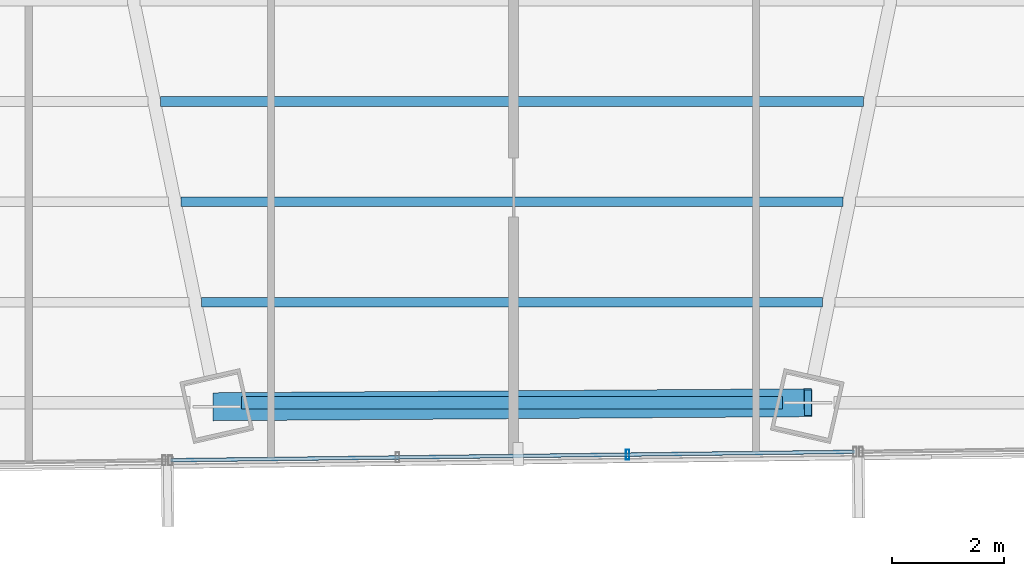
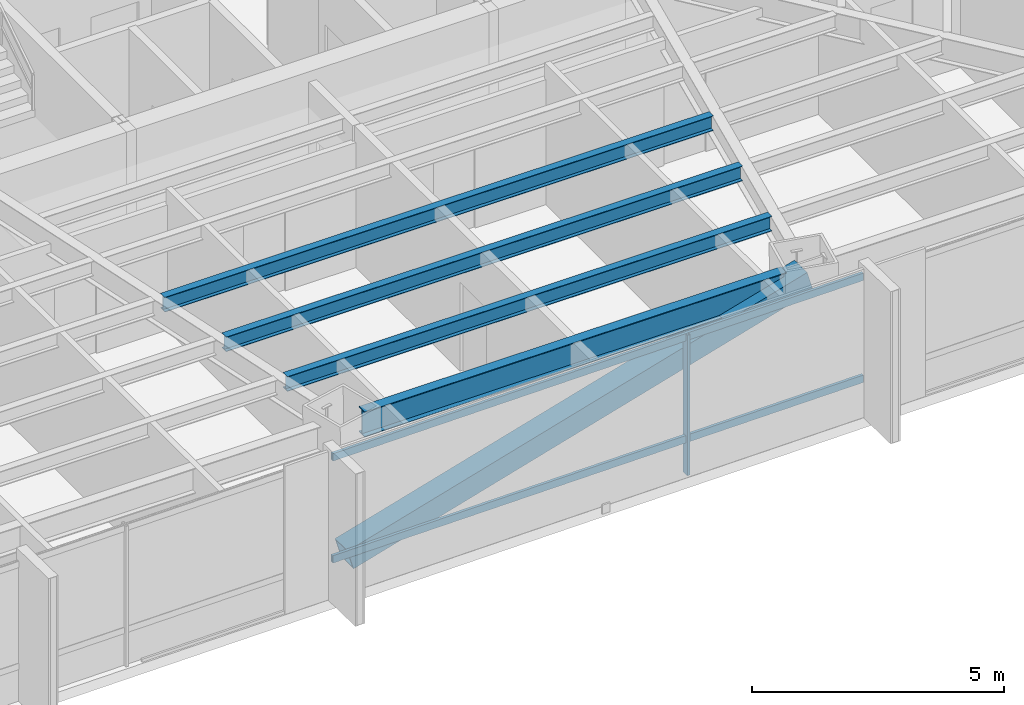
# One storey, part 10 of 37: 4 beams, 4 members, 1 element without a shape of its own.
"""IFC4 building model written with IfcOpenShell, lengths in metres."""

import ifcopenshell
import ifcopenshell.guid

model = None  # the IFC model being written
_history = None  # IfcOwnerHistory: only IFC2X3 demands one
_inside = {}  # id of a spatial element -> (the spatial element, [elements in it])
_under = {}  # id of a project, library or spatial element -> (it, [spatial elements below it])
_declared = {}  # id of a project -> (the project, [libraries it declares])
_typed = {}  # id of a type object -> (the type object, [elements of that type])
_made_of = {}  # id of a material, layer set ... -> (it, [elements and type objects made of it])


def new_model(schema):
    """Start an empty IFC model of exactly this schema.

    Asked for "IFC4X3", IfcOpenShell would pick the latest addendum, in which some entities
    have other attributes; the version numbers below select the first issue.
    IFC2X3 requires an IfcOwnerHistory on every rooted entity: one is made here for all.
    """
    global model, _history
    if schema == "IFC4X3":
        model = ifcopenshell.file(schema_version=(4, 3, 0, 0))
    else:
        model = ifcopenshell.file(schema=schema)
    _inside.clear()
    _under.clear()
    _declared.clear()
    _typed.clear()
    _made_of.clear()
    _history = None
    if model.schema == "IFC2X3":
        org = make("IfcOrganization", Name="unknown")
        user = make(
            "IfcPersonAndOrganization",
            ThePerson=make("IfcPerson", FamilyName="unknown"),
            TheOrganization=org,
        )
        app = make(
            "IfcApplication",
            ApplicationDeveloper=org,
            Version="unknown",
            ApplicationFullName="unknown",
            ApplicationIdentifier="unknown",
        )
        _history = make(
            "IfcOwnerHistory",
            OwningUser=user,
            OwningApplication=app,
            ChangeAction="ADDED",
            CreationDate=0,
        )
    return model


def make(cls, **values):
    """One entity of the class cls with the attributes given. An attribute that is None is left unset."""
    return model.create_entity(
        cls, **{name: value for name, value in values.items() if value is not None}
    )


def rooted(cls, **values):
    """An entity with a GlobalId (a new one), such as an element, a storey or a relation."""
    return make(cls, GlobalId=ifcopenshell.guid.new(), OwnerHistory=_history, **values)


def si_unit(unit_type, name, prefix=None):
    """IfcSIUnit, for example si_unit("LENGTHUNIT", "METRE", prefix="MILLI")."""
    return make("IfcSIUnit", UnitType=unit_type, Prefix=prefix, Name=name)


def assignment(units):
    """IfcUnitAssignment: the units of a project."""
    return None if units is None else make("IfcUnitAssignment", Units=units)


def point(xyz):
    """IfcCartesianPoint."""
    return None if xyz is None else make("IfcCartesianPoint", Coordinates=xyz)


def direction(xyz):
    """IfcDirection."""
    return None if xyz is None else make("IfcDirection", DirectionRatios=xyz)


def frame(location, z_axis=None, x_axis=None):
    """IfcAxis2Placement3D, a coordinate frame: its origin and axes. An axis left out is left unset."""
    return make(
        "IfcAxis2Placement3D",
        Location=point(location),
        Axis=direction(z_axis),
        RefDirection=direction(x_axis),
    )


def frame_2d(location, x_axis=None):
    """IfcAxis2Placement2D, a coordinate frame in the plane: its origin and x axis."""
    return make(
        "IfcAxis2Placement2D", Location=point(location), RefDirection=direction(x_axis)
    )


def origin():
    """The frame at (0, 0, 0) with its axes left unset."""
    return frame((0.0, 0.0, 0.0))


def origin_2d():
    """The frame at (0, 0) in the plane with its x axis left unset."""
    return frame_2d((0.0, 0.0))


def place(relative_to, where):
    """IfcLocalPlacement: puts the frame where relative to a parent placement (None: the world)."""
    return make(
        "IfcLocalPlacement", PlacementRelTo=relative_to, RelativePlacement=where
    )


def context(
    kind, dimensions, precision=None, world=None, true_north=None, identifier=None
):
    """IfcGeometricRepresentationContext, for example the 3D "Model" context."""
    return make(
        "IfcGeometricRepresentationContext",
        ContextIdentifier=identifier,
        ContextType=kind,
        CoordinateSpaceDimension=dimensions,
        Precision=precision,
        WorldCoordinateSystem=world,
        TrueNorth=true_north,
    )


def subcontext(parent, identifier, kind, view, scale=None):
    """IfcGeometricRepresentationSubContext, for example "Body" below "Model"."""
    return make(
        "IfcGeometricRepresentationSubContext",
        ContextIdentifier=identifier,
        ContextType=kind,
        ParentContext=parent,
        TargetScale=scale,
        TargetView=view,
    )


def project(units=None, contexts=None):
    """IfcProject with its units and contexts."""
    return rooted(
        "IfcProject",
        Name="project",
        RepresentationContexts=contexts,
        UnitsInContext=assignment(units),
    )


def spatial(cls, under=None, at=None, **own):
    """A site, building, storey or space (cls), placed at a placement, below another one or the project."""
    s = rooted(cls, ObjectPlacement=at, **own)
    if under is not None:
        _under.setdefault(under.id(), (under, []))[1].append(s)
    return s


def profile(cls, at=None, kind="AREA", **sizes):
    """A parametric profile (cls). Its sizes go by their IFC names, for example OverallWidth=200.0."""
    return make(cls, ProfileType=kind, Position=at, **sizes)


def hollow_rectangle(**sizes):
    """IfcRectangleHollowProfileDef."""
    return profile("IfcRectangleHollowProfileDef", **sizes)


def i_section(**sizes):
    """IfcIShapeProfileDef."""
    return profile("IfcIShapeProfileDef", **sizes)


def extrude(swept, where, along, depth):
    """IfcExtrudedAreaSolid: the profile swept, set in the frame where, extruded along a direction by depth."""
    return make(
        "IfcExtrudedAreaSolid",
        SweptArea=swept,
        Position=where,
        ExtrudedDirection=direction(along),
        Depth=depth,
    )


def shape(context_of_items, identifier, shape_type, items):
    """IfcShapeRepresentation: the items that make up one representation, for example the "Body"."""
    return make(
        "IfcShapeRepresentation",
        ContextOfItems=context_of_items,
        RepresentationIdentifier=identifier,
        RepresentationType=shape_type,
        Items=items,
    )


def source(mapping_origin, context_of_items, identifier, shape_type, items):
    """IfcRepresentationMap: a shape defined once, which mapped items show again and again."""
    return make(
        "IfcRepresentationMap",
        MappingOrigin=mapping_origin,
        MappedRepresentation=shape(context_of_items, identifier, shape_type, items),
    )


def transform(
    local_origin,
    x_axis=None,
    y_axis=None,
    z_axis=None,
    scale=None,
    scale2=None,
    scale3=None,
    uniform=True,
):
    """IfcCartesianTransformationOperator3D, or its non-uniform kind. x_axis, y_axis, z_axis: its Axis1, 2, 3."""
    if uniform:
        return make(
            "IfcCartesianTransformationOperator3D",
            Axis1=direction(x_axis),
            Axis2=direction(y_axis),
            LocalOrigin=point(local_origin),
            Scale=scale,
            Axis3=direction(z_axis),
        )
    return make(
        "IfcCartesianTransformationOperator3DnonUniform",
        Axis1=direction(x_axis),
        Axis2=direction(y_axis),
        LocalOrigin=point(local_origin),
        Scale=scale,
        Axis3=direction(z_axis),
        Scale2=scale2,
        Scale3=scale3,
    )


def mapped(mapping_source, mapping_target):
    """IfcMappedItem: shows the shape of a source again, moved by a transform."""
    return make(
        "IfcMappedItem", MappingSource=mapping_source, MappingTarget=mapping_target
    )


def material(Name=None, Category=None):
    """IfcMaterial."""
    return make("IfcMaterial", Name=Name, Category=Category)


def material_profile(
    of_material, cross_section, Name=None, Category=None, Priority=None
):
    """IfcMaterialProfile: a cross section and its material."""
    return make(
        "IfcMaterialProfile",
        Name=Name,
        Material=of_material,
        Profile=cross_section,
        Priority=Priority,
        Category=Category,
    )


def profile_set(profiles, Name=None, composite=None):
    """IfcMaterialProfileSet."""
    return make(
        "IfcMaterialProfileSet",
        Name=Name,
        MaterialProfiles=profiles,
        CompositeProfile=composite,
    )


def made_of(thing, what):
    """Note that an element or type object is made of a material, layer set ...; save() writes the relation."""
    if what is not None:
        _made_of.setdefault(what.id(), (what, []))[1].append(thing)
    return thing


def type_object(cls, material=None, **own):
    """A type object (cls), such as IfcWallType, which elements share."""
    return made_of(rooted(cls, **own), material)


def type_shapes(of_type, sources):
    """Give a type object the sources (RepresentationMaps) that its elements show as mapped items."""
    of_type.RepresentationMaps = sources


def element(
    cls,
    number,
    at=None,
    inside=None,
    cuts=None,
    type_object=None,
    material=None,
    context=None,
    identifier="Body",
    shape_type=None,
    held_by="IfcProductDefinitionShape",
    body=None,
    shapes=None,
    **own,
):
    """One element of the class cls, such as IfcWall. Its Tag is "e" and its number.

    at: its placement. inside: the storey or other place that contains it. cuts: it is an
    opening in that element (IfcRelVoidsElement). A single representation is given by context,
    identifier, shape_type and body (its items); several are given by shapes. held_by: the class
    of the entity that holds the representations. save() writes the other relations.
    """
    e = rooted(cls, Tag="e%d" % number, ObjectPlacement=at, **own)
    if body is not None:
        shapes = [shape(context, identifier, shape_type, body)]
    if shapes is not None:
        e.Representation = make(held_by, Representations=shapes)
    if inside is not None:
        _inside.setdefault(inside.id(), (inside, []))[1].append(e)
    if cuts is not None:
        rooted(
            "IfcRelVoidsElement", RelatingBuildingElement=cuts, RelatedOpeningElement=e
        )
    if type_object is not None:
        _typed.setdefault(type_object.id(), (type_object, []))[1].append(e)
    return made_of(e, material)


def aggregate(whole, parts):
    """IfcRelAggregates: a whole, such as a stair, and the parts it consists of."""
    return rooted("IfcRelAggregates", RelatingObject=whole, RelatedObjects=parts)


def save(model, path):
    """Write the relations noted so far, then the file.

    IfcRelAggregates (storeys below a building ...), IfcRelContainedInSpatialStructure (elements
    in a storey), IfcRelDefinesByType, IfcRelAssociatesMaterial and IfcRelDeclares: one each for
    every whole, place, type object, material and project.
    """
    for whole, parts in _under.values():
        aggregate(whole, parts)
    for where, things in _inside.values():
        rooted(
            "IfcRelContainedInSpatialStructure",
            RelatedElements=things,
            RelatingStructure=where,
        )
    for kind, things in _typed.values():
        rooted("IfcRelDefinesByType", RelatedObjects=things, RelatingType=kind)
    for what, things in _made_of.values():
        rooted("IfcRelAssociatesMaterial", RelatedObjects=things, RelatingMaterial=what)
    for by, libraries in _declared.values():
        rooted("IfcRelDeclares", RelatingContext=by, RelatedDefinitions=libraries)
    model.write(path)


model = new_model("IFC4")

# Units and contexts
model_context = context("Model", 3, precision=1e-05, world=origin(), true_north=direction((0.0, 1.0)))
body_context = subcontext(model_context, "Body", "Model", "MODEL_VIEW")
ifc_project = project(units=[si_unit("LENGTHUNIT", "METRE"), si_unit("AREAUNIT", "SQUARE_METRE"), si_unit("VOLUMEUNIT", "CUBIC_METRE"), si_unit("PLANEANGLEUNIT", "RADIAN"), si_unit("MASSUNIT", "GRAM", prefix="KILO")], contexts=[model_context])

# Site, building, storey
site_placement = place(None, origin())
site = spatial("IfcSite", under=ifc_project, at=site_placement, CompositionType="ELEMENT")
building_placement = place(site_placement, origin())
building = spatial("IfcBuilding", under=site, at=building_placement, Name="Caelisora Broadcast Tower", CompositionType="ELEMENT")
storey_placement = place(building_placement, frame((0.0, 0.0, 116.35009765625)))
storey = spatial("IfcBuildingStorey", under=building, at=storey_placement, Name="L30", CompositionType="ELEMENT", Elevation=116.35009765625)

# Beams
ifc_material_1 = material(Name="Steel Grade 350 (AS/NZS 3679.1)", Category="steel")
ifc_material_profile_1 = material_profile(ifc_material_1, i_section(OverallWidth=0.22900390625, OverallDepth=0.611572265625, WebThickness=0.011962890625, FlangeThickness=0.01953125, at=origin_2d()), Name="Steel Grade 350 (AS/NZS 3679.1)")
ifc_profile_set_1 = profile_set([ifc_material_profile_1], Name="Steel Grade 350 (AS/NZS 3679.1)")
beam_type_1 = type_object("IfcBeamType", Name="PG03", PredefinedType="BEAM", material=ifc_profile_set_1)
shared_shape_1 = source(origin(), body_context, "Body", "SweptSolid", [
    extrude(i_section(OverallWidth=0.22900390625, OverallDepth=0.611572265625, WebThickness=0.011962890625, FlangeThickness=0.01953125, at=origin_2d()), origin(), (0.0, 0.0, 1.0), 9.66455078125),
])
type_shapes(beam_type_1, [shared_shape_1])
beam_1_placement = place(storey_placement, frame((33.167724609375, 6.630126953125, 3.093994140625), z_axis=(1.0, 0.0, 0.0), x_axis=(0.0, 1.0, 0.0)))
element("IfcBeam", 1, at=beam_1_placement, inside=storey, type_object=beam_type_1, Name="L30 beam PG03", PredefinedType="BEAM", context=body_context, shape_type="MappedRepresentation", body=[
    mapped(shared_shape_1, transform((0.0, 0.0, 0.0), scale=1.0)),
])
ifc_material_profile_2 = material_profile(ifc_material_1, i_section(OverallWidth=0.172119140625, OverallDepth=0.358642578125, WebThickness=0.008056640625, FlangeThickness=0.012939453125, at=origin_2d()), Name="Steel Grade 350 (AS/NZS 3679.1)")
ifc_profile_set_2 = profile_set([ifc_material_profile_2], Name="Steel Grade 350 (AS/NZS 3679.1)")
beam_type_2 = type_object("IfcBeamType", Name="SB02", PredefinedType="JOIST", material=ifc_profile_set_2)
shared_shape_2 = source(origin(), body_context, "Body", "SweptSolid", [
    extrude(i_section(OverallWidth=0.172119140625, OverallDepth=0.358642578125, WebThickness=0.008056640625, FlangeThickness=0.012939453125, at=origin_2d()), origin(), (0.0, 0.0, 1.0), 12.5654296875),
])
beam_2_placement = place(storey_placement, frame((31.71728515625, 12.01513671875, 3.220703125), z_axis=(1.0, 0.0, 0.0), x_axis=(0.0, 1.0, 0.0)))
element("IfcBeam", 2, at=beam_2_placement, inside=storey, type_object=beam_type_2, Name="L30 beam SB02", PredefinedType="JOIST", context=body_context, shape_type="MappedRepresentation", body=[
    mapped(shared_shape_2, transform((0.0, 0.0, 0.0), scale=1.0)),
])
shared_shape_3 = source(origin(), body_context, "Body", "SweptSolid", [
    extrude(i_section(OverallWidth=0.172119140625, OverallDepth=0.358642578125, WebThickness=0.008056640625, FlangeThickness=0.012939453125, at=origin_2d()), origin(), (0.0, 0.0, 1.0), 11.82958984375),
])
beam_3_placement = place(storey_placement, frame((32.085205078125, 10.22021484375, 3.220703125), z_axis=(1.0, 0.0, 0.0), x_axis=(0.0, 1.0, 0.0)))
element("IfcBeam", 3, at=beam_3_placement, inside=storey, type_object=beam_type_2, Name="L30 beam SB02", PredefinedType="JOIST", context=body_context, shape_type="MappedRepresentation", body=[
    mapped(shared_shape_3, transform((0.0, 0.0, 0.0), scale=1.0)),
])
shared_shape_4 = source(origin(), body_context, "Body", "SweptSolid", [
    extrude(i_section(OverallWidth=0.172119140625, OverallDepth=0.358642578125, WebThickness=0.008056640625, FlangeThickness=0.012939453125, at=origin_2d()), origin(), (0.0, 0.0, 1.0), 11.09375),
])
type_shapes(beam_type_2, [shared_shape_2, shared_shape_3, shared_shape_4])
beam_4_placement = place(storey_placement, frame((32.453125, 8.42529296875, 3.220703125), z_axis=(1.0, 0.0, 0.0), x_axis=(0.0, 1.0, 0.0)))
element("IfcBeam", 4, at=beam_4_placement, inside=storey, type_object=beam_type_2, Name="L30 beam SB02", PredefinedType="JOIST", context=body_context, shape_type="MappedRepresentation", body=[
    mapped(shared_shape_4, transform((0.0, 0.0, 0.0), scale=1.0)),
])

# Member
ifc_material_2 = material(Name="Steel Grade 450 L15 (AS/NZS 3678)", Category="steel")
ifc_material_profile_3 = material_profile(ifc_material_2, hollow_rectangle(XDim=0.5, YDim=0.5, WallThickness=0.02001953125, at=origin_2d()), Name="Steel Grade 450 L15 (AS/NZS 3678)")
ifc_profile_set_3 = profile_set([ifc_material_profile_3], Name="Steel Grade 450 L15 (AS/NZS 3678)")
member_type_1 = type_object("IfcMemberType", Name="BR02", PredefinedType="BRACE", material=ifc_profile_set_3)
shared_shape_5 = source(origin(), body_context, "Body", "SweptSolid", [
    extrude(hollow_rectangle(XDim=0.5, YDim=0.5, WallThickness=0.02001953125, at=origin_2d()), origin(), (0.0, 0.0, 1.0), 10.98583984375),
])
type_shapes(member_type_1, [shared_shape_5])
member_1_placement = place(storey_placement, frame((32.72412109375, 6.557861328125, 0.099853515625), z_axis=(0.961969691962, 0.006578026401, 0.273076987891), x_axis=(-0.006837920851, 0.999976621146, 0.0)))
element("IfcMember", 5, at=member_1_placement, inside=storey, type_object=member_type_1, Name="L30 perimeter brace BR02", PredefinedType="BRACE", context=body_context, shape_type="MappedRepresentation", body=[
    mapped(shared_shape_5, transform((0.0, 0.0, 0.0), scale=1.0)),
])

# Curtain wall, members
ifc_material_3 = material(Name="Unitised Aluminium Insulated Shadow-Box Spandrel Curtain Wall", Category="aluminium")
curtain_wall_type = type_object("IfcCurtainWallType", Name="CW-SP1", PredefinedType="NOTDEFINED", material=ifc_material_3)
curtain_wall_placement = place(storey_placement, origin())
curtain_wall = element("IfcCurtainWall", 6, at=curtain_wall_placement, inside=storey, type_object=curtain_wall_type, Name="L30 curtain wall CW-SP1", PredefinedType="NOTDEFINED")
ifc_material_4 = material(Name="Aluminium 6063-T6 Anodised Terracotta Bronze", Category="aluminium")
ifc_material_profile_4 = material_profile(ifc_material_4, hollow_rectangle(XDim=0.06494140625, YDim=0.179931640625, WallThickness=0.00341796875, at=origin_2d()), Name="Aluminium 6063-T6 Anodised Terracotta Bronze")
ifc_profile_set_4 = profile_set([ifc_material_profile_4], Name="Aluminium 6063-T6 Anodised Terracotta Bronze")
member_type_2 = type_object("IfcMemberType", Name="CWM-02", PredefinedType="MULLION", material=ifc_profile_set_4)
shared_shape_6 = source(origin(), body_context, "Body", "SweptSolid", [
    extrude(hollow_rectangle(XDim=0.06494140625, YDim=0.179931640625, WallThickness=0.00341796875, at=origin_2d()), origin(), (0.0, 0.0, 1.0), 3.39990234375),
])
type_shapes(member_type_2, [shared_shape_6])
member_2_placement = place(storey_placement, frame((40.067626953125, 5.7021484375, 0.0), z_axis=(0.0, 0.0, 1.0), x_axis=(1.0, 0.0, 0.0)))
member_2 = element("IfcMember", 7, at=member_2_placement, type_object=member_type_2, Name="L30-CW-B06 mullion #1", PredefinedType="MULLION", context=body_context, shape_type="MappedRepresentation", body=[
    mapped(shared_shape_6, transform((0.0, 0.0, 0.0), scale=1.0)),
])
ifc_material_profile_5 = material_profile(ifc_material_4, hollow_rectangle(XDim=0.06494140625, YDim=0.179931640625, WallThickness=0.00341796875, at=origin_2d()), Name="Aluminium 6063-T6 Anodised Terracotta Bronze")
ifc_profile_set_5 = profile_set([ifc_material_profile_5], Name="Aluminium 6063-T6 Anodised Terracotta Bronze")
member_type_3 = type_object("IfcMemberType", Name="CWT-01", PredefinedType="USERDEFINED", material=ifc_profile_set_5)
shared_shape_7 = source(origin(), body_context, "Body", "SweptSolid", [
    extrude(hollow_rectangle(XDim=0.06494140625, YDim=0.179931640625, WallThickness=0.00341796875, at=origin_2d()), origin(), (0.0, 0.0, 1.0), 12.240966796875),
])
type_shapes(member_type_3, [shared_shape_7])
member_3_placement = place(storey_placement, frame((44.130859375, 5.75244140625, 0.849853515625), z_axis=(-0.999923542246, -0.012365664629, 0.0), x_axis=(0.012365664629, -0.999923542246, 0.0)))
member_3 = element("IfcMember", 8, at=member_3_placement, type_object=member_type_3, Name="L30-CW-B06 transom #1", ObjectType="TRANSOM", PredefinedType="USERDEFINED", context=body_context, shape_type="MappedRepresentation", body=[
    mapped(shared_shape_7, transform((0.0, 0.0, 0.0), scale=1.0)),
])
member_4_placement = place(storey_placement, frame((44.130859375, 5.75244140625, 3.31982421875), z_axis=(-0.999923542246, -0.012365664629, 0.0), x_axis=(0.012365664629, -0.999923542246, 0.0)))
member_4 = element("IfcMember", 9, at=member_4_placement, type_object=member_type_3, Name="L30-CW-B06 transom #2", ObjectType="TRANSOM", PredefinedType="USERDEFINED", context=body_context, shape_type="MappedRepresentation", body=[
    mapped(shared_shape_7, transform((0.0, 0.0, 0.0), scale=1.0)),
])
aggregate(curtain_wall, [member_2, member_3, member_4])

save(model, "model.ifc")
